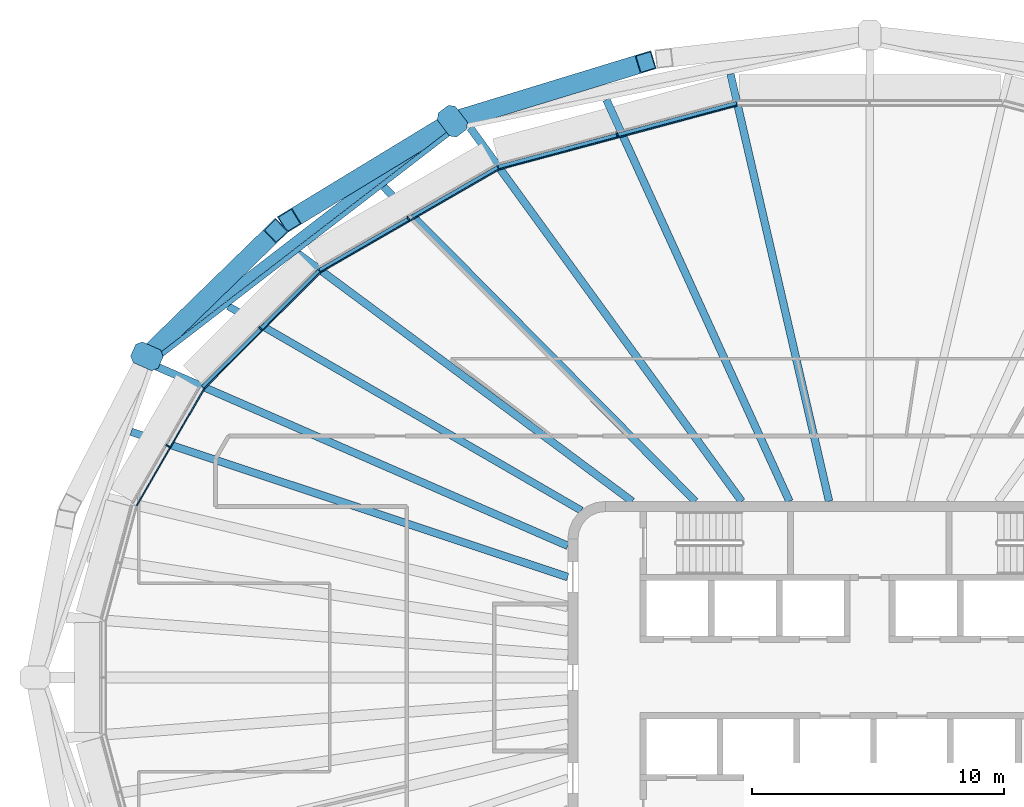
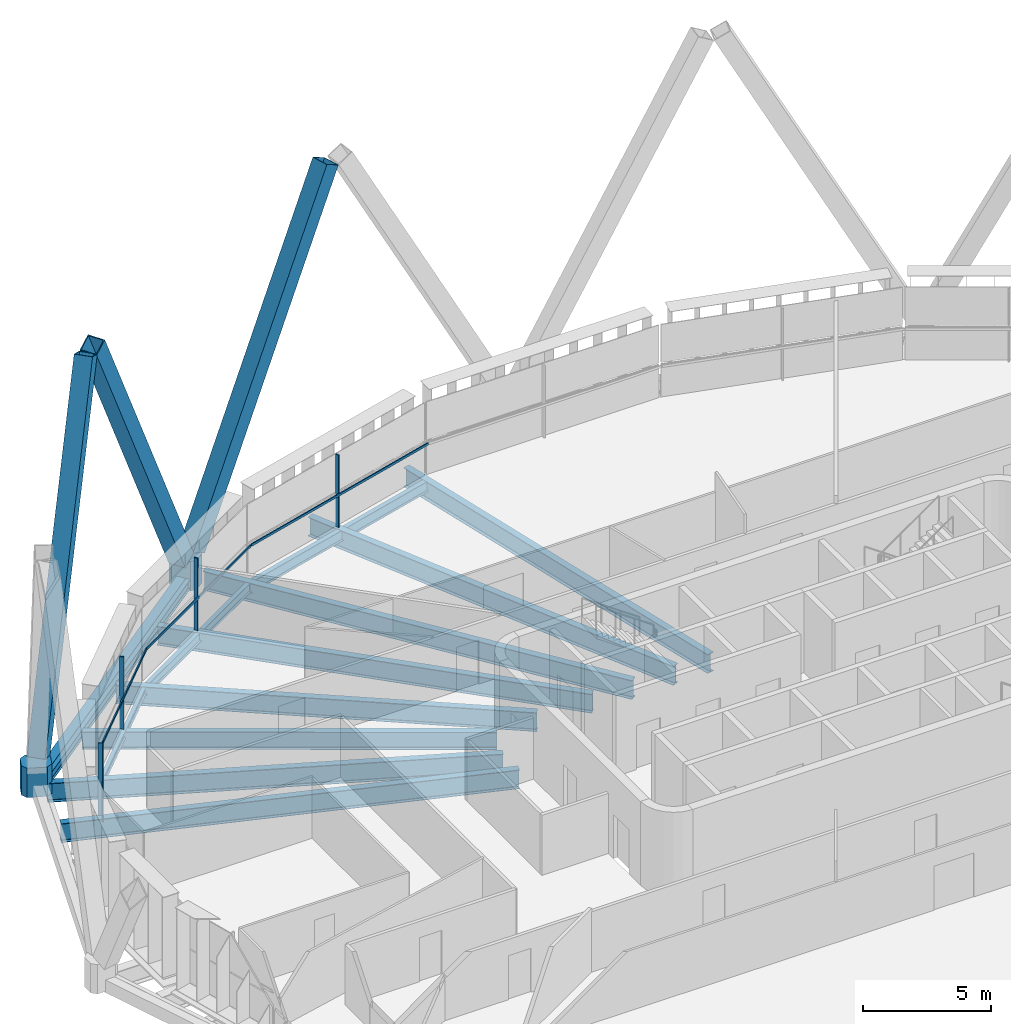
# One storey, part 7 of 23: 13 beams, 13 members, 4 elements without a shape of their own.
"""IFC4 building model written with IfcOpenShell, lengths in metres."""

from ifc_helpers import new_model, si_unit, direction, frame, origin, origin_2d, place, context, subcontext, project, spatial, polyline, rectangle, hollow_rectangle, i_section, outline, extrude, material, layer, layer_set, material_profile, profile_set, type_object, element, aggregate, save


model = new_model("IFC4")

# Units and contexts
model_context = context("Model", 3, precision=1e-05, world=origin(), true_north=direction((0.0, 1.0)))
body_context = subcontext(model_context, "Body", "Model", "MODEL_VIEW")
ifc_project = project(units=[si_unit("LENGTHUNIT", "METRE"), si_unit("AREAUNIT", "SQUARE_METRE"), si_unit("VOLUMEUNIT", "CUBIC_METRE"), si_unit("PLANEANGLEUNIT", "RADIAN"), si_unit("MASSUNIT", "GRAM", prefix="KILO")], contexts=[model_context])

# Site, building, storey
site_placement = place(None, origin())
site = spatial("IfcSite", under=ifc_project, at=site_placement, CompositionType="ELEMENT")
building_placement = place(site_placement, origin())
building = spatial("IfcBuilding", under=site, at=building_placement, Name="Sahrelin Media Tower", CompositionType="ELEMENT")
storey_placement = place(building_placement, frame((0.0, 0.0, 217.60009765625)))
storey = spatial("IfcBuildingStorey", under=building, at=storey_placement, Name="L46", CompositionType="ELEMENT", Elevation=217.60009765625)

# Members
ifc_material_1 = material(Name="Steel S460", Category="steel")
ifc_material_profile_1 = material_profile(ifc_material_1, hollow_rectangle(XDim=0.75, YDim=0.75, WallThickness=0.0400390625, at=origin_2d()), Name="Diagrid diagonal DG6")
ifc_profile_set_1 = profile_set([ifc_material_profile_1], Name="Steel S460")
member_type_1 = type_object("IfcMemberType", Name="Diagrid diagonal DG6", PredefinedType="BRACE", material=ifc_profile_set_1)
member_1_placement = place(storey_placement, frame((-16.234375, 22.218994140625, 0.699951171875), z_axis=(0.444550458227, 0.135899842006, 0.885384731647), x_axis=(-0.292346380443, 0.956312498006, 0.0)))
element("IfcMember", 1, at=member_1_placement, inside=storey, type_object=member_type_1, Name="Diagrid diagonal D10-07", PredefinedType="BRACE", context=body_context, shape_type="SweptSolid", body=[
    extrude(hollow_rectangle(XDim=0.75, YDim=0.75, WallThickness=0.0400390625, at=origin_2d()), origin(), (0.0, 0.0, 1.0), 16.48974609375),
])
member_2_placement = place(storey_placement, frame((-16.882568359375, 21.930908203125, 0.699951171875), z_axis=(-0.379598064611, -0.231069461193, 0.895830460214), x_axis=(0.51996298769, -0.854188791446, 0.0)))
element("IfcMember", 2, at=member_2_placement, inside=storey, type_object=member_type_1, Name="Diagrid diagonal D10-08", PredefinedType="BRACE", context=body_context, shape_type="SweptSolid", body=[
    extrude(hollow_rectangle(XDim=0.75, YDim=0.75, WallThickness=0.0400390625, at=origin_2d()), origin(), (0.0, 0.0, 1.0), 16.297607421875),
])
member_3_placement = place(storey_placement, frame((-28.492919921875, 12.994384765625, 0.699951171875), z_axis=(0.303560858535, 0.295441665911, 0.905850444173), x_axis=(-0.697458219754, 0.716625447286, 0.0)))
element("IfcMember", 3, at=member_3_placement, inside=storey, type_object=member_type_1, Name="Diagrid diagonal D10-09", PredefinedType="BRACE", context=body_context, shape_type="SweptSolid", body=[
    extrude(hollow_rectangle(XDim=0.75, YDim=0.75, WallThickness=0.0400390625, at=origin_2d()), origin(), (0.0, 0.0, 1.0), 16.1171875),
])
ifc_material_profile_2 = material_profile(ifc_material_1, outline(polyline([(0.39990234375, -0.449951171875), (0.60009765625, -0.25), (0.60009765625, 0.25), (0.39990234375, 0.449951171875), (-0.39990234375, 0.449951171875), (-0.60009765625, 0.25), (-0.60009765625, -0.25), (-0.39990234375, -0.449951171875), (0.39990234375, -0.449951171875)])), Name="Diagrid node block 1200")
ifc_profile_set_2 = profile_set([ifc_material_profile_2], Name="Steel S460")
member_type_2 = type_object("IfcMemberType", Name="Diagrid node block 1200", PredefinedType="USERDEFINED", material=ifc_profile_set_2)
for number, where, z_axis, x_axis, name in (
    (4, (-16.5859375, 22.111572265625, -0.7001953125), (0.0, 0.0, 1.0), (-0.600053089558, 0.799960180079, 0.0), "Diagrid node N10-04"),
    (5, (-28.7275390625, 12.76611328125, -0.7001953125), (0.0, 0.0, 1.0), (-0.91383202582, 0.406092389223, 0.0), "Diagrid node N10-05"),
):
    element("IfcMember", number, at=place(storey_placement, frame(where, z_axis=z_axis, x_axis=x_axis)), inside=storey, type_object=member_type_2, Name=name, ObjectType="NODE", PredefinedType="USERDEFINED", context=body_context, shape_type="SweptSolid", body=[
        extrude(outline(polyline([(0.39990234375, -0.449951171875), (0.60009765625, -0.25), (0.60009765625, 0.25), (0.39990234375, 0.449951171875), (-0.39990234375, 0.449951171875), (-0.60009765625, 0.25), (-0.60009765625, -0.25), (-0.39990234375, -0.449951171875), (0.39990234375, -0.449951171875)])), origin(), (0.0, 0.0, 1.0), 1.400146484375),
    ])

# Beams
ifc_material_profile_3 = material_profile(ifc_material_1, hollow_rectangle(XDim=0.39990234375, YDim=0.60009765625, WallThickness=0.030029296875, at=origin_2d()), Name="Diagrid ring beam RB1")
ifc_profile_set_3 = profile_set([ifc_material_profile_3], Name="Steel S460")
beam_type_1 = type_object("IfcBeamType", Name="Diagrid ring beam RB1", PredefinedType="BEAM", material=ifc_profile_set_3)
beam_1_placement = place(storey_placement, frame((-16.5859375, 22.111572265625, -0.4501953125), z_axis=(-0.792442102004, -0.609947141129, 0.0), x_axis=(0.609947141129, -0.792442102004, 0.0)))
element("IfcBeam", 6, at=beam_1_placement, inside=storey, type_object=beam_type_1, Name="Diagrid ring beam RB10-04", PredefinedType="BEAM", context=body_context, shape_type="SweptSolid", body=[
    extrude(hollow_rectangle(XDim=0.39990234375, YDim=0.60009765625, WallThickness=0.030029296875, at=origin_2d()), origin(), (0.0, 0.0, 1.0), 15.32177734375),
])
ifc_material_2 = material(Name="Steel S355", Category="steel")
ifc_material_profile_4 = material_profile(ifc_material_2, i_section(OverallWidth=0.17138671875, OverallDepth=0.35498046875, WebThickness=0.00732421875, FlangeThickness=0.011474609375, FilletRadius=0.01025390625, at=origin_2d()), Name="UB 356x171x51")
ifc_profile_set_4 = profile_set([ifc_material_profile_4], Name="Steel S355")
beam_type_2 = type_object("IfcBeamType", Name="Edge beam EB3", PredefinedType="BEAM", material=ifc_profile_set_4)
beam_2_placement = place(storey_placement, frame((-26.496337890625, 11.52880859375, -0.32763671875), z_axis=(0.707088109482, 0.707125452398, 0.0), x_axis=(-0.707125452398, 0.707088109482, 0.0)))
element("IfcBeam", 7, at=beam_2_placement, inside=storey, type_object=beam_type_2, Name="Edge beam L46-16", PredefinedType="BEAM", context=body_context, shape_type="SweptSolid", body=[
    extrude(i_section(OverallWidth=0.17138671875, OverallDepth=0.35498046875, WebThickness=0.00732421875, FlangeThickness=0.011474609375, FilletRadius=0.01025390625, at=origin_2d()), origin(), (0.0, 0.0, 1.0), 6.537841796875),
])
ifc_material_profile_5 = material_profile(ifc_material_2, i_section(OverallWidth=0.1904296875, OverallDepth=0.45703125, WebThickness=0.009033203125, FlangeThickness=0.014404296875, FilletRadius=0.01025390625, at=origin_2d()), Name="UB 457x191x74")
ifc_profile_set_5 = profile_set([ifc_material_profile_5], Name="Steel S355")
beam_type_3 = type_object("IfcBeamType", Name="Edge beam EB5", PredefinedType="BEAM", material=ifc_profile_set_5)
beam_3_placement = place(storey_placement, frame((-21.8505859375, 16.169189453125, -0.378662109375), z_axis=(0.866015284814, 0.500017526161, 0.0), x_axis=(-0.500017526161, 0.866015284814, 0.0)))
element("IfcBeam", 8, at=beam_3_placement, inside=storey, type_object=beam_type_3, Name="Edge beam L46-17", PredefinedType="BEAM", context=body_context, shape_type="SweptSolid", body=[
    extrude(i_section(OverallWidth=0.1904296875, OverallDepth=0.45703125, WebThickness=0.009033203125, FlangeThickness=0.014404296875, FilletRadius=0.01025390625, at=origin_2d()), origin(), (0.0, 0.0, 1.0), 8.164794921875),
])
ifc_material_profile_6 = material_profile(ifc_material_2, i_section(OverallWidth=0.208740234375, OverallDepth=0.5283203125, WebThickness=0.009521484375, FlangeThickness=0.01318359375, FilletRadius=0.0126953125, at=origin_2d()), Name="UB 533x210x82")
ifc_profile_set_6 = profile_set([ifc_material_profile_6], Name="Steel S355")
beam_type_4 = type_object("IfcBeamType", Name="Edge beam EB6", PredefinedType="BEAM", material=ifc_profile_set_6)
beam_4_placement = place(storey_placement, frame((-14.753173828125, 20.2626953125, -0.414306640625), z_axis=(0.965925693265, 0.258819541556, 0.0), x_axis=(-0.258819541556, 0.965925693265, 0.0)))
element("IfcBeam", 9, at=beam_4_placement, inside=storey, type_object=beam_type_4, Name="Edge beam L46-18", PredefinedType="BEAM", context=body_context, shape_type="SweptSolid", body=[
    extrude(i_section(OverallWidth=0.208740234375, OverallDepth=0.5283203125, WebThickness=0.009521484375, FlangeThickness=0.01318359375, FilletRadius=0.0126953125, at=origin_2d()), origin(), (0.0, 0.0, 1.0), 9.796875),
])

# Curtain wall, member
ifc_material_3 = material(Name="Champagne anodised aluminium 6063-T6", Category="aluminium")
ifc_layer = layer(ifc_material_3, 0.14990234375)
ifc_layer_set = layer_set([ifc_layer], Name="Tower ribbon curtain wall")
curtain_wall_type = type_object("IfcCurtainWallType", Name="Tower ribbon curtain wall", PredefinedType="NOTDEFINED", material=ifc_layer_set)
curtain_wall_1_placement = place(storey_placement, frame((-10.060302734375, 21.67529296875, 0.0), z_axis=(0.0, 0.0, 1.0), x_axis=(1.0, 0.0, 0.0)))
curtain_wall_1 = element("IfcCurtainWall", 10, at=curtain_wall_1_placement, inside=storey, type_object=curtain_wall_type, Name="L46:CW:L46-07", PredefinedType="NOTDEFINED")
ifc_material_profile_7 = material_profile(ifc_material_3, rectangle(XDim=0.06005859375, YDim=0.175048828125, at=origin_2d()), Name="Mullion 60x175")
ifc_profile_set_7 = profile_set([ifc_material_profile_7], Name="Champagne anodised aluminium 6063-T6")
member_type_3 = type_object("IfcMemberType", Name="Mullion 60x175 CW1B", PredefinedType="MULLION", material=ifc_profile_set_7)
member_4_placement = place(storey_placement, frame((-10.03271484375, 21.571533203125, 0.0), z_axis=(0.0, 0.0, 1.0), x_axis=(-0.965924922834, -0.258822416818, 0.0)))
member_4 = element("IfcMember", 11, at=member_4_placement, type_object=member_type_3, Name="L46:CWM:L46-07", PredefinedType="MULLION", context=body_context, shape_type="SweptSolid", body=[
    extrude(rectangle(XDim=0.06005859375, YDim=0.175048828125, at=origin_2d()), origin(), (0.0, 0.0, 1.0), 3.448486328125),
])

curtain_wall_2_placement = place(storey_placement, frame((-18.39013671875, 18.34033203125, 0.0), z_axis=(0.0, 0.0, 1.0), x_axis=(1.0, 0.0, 0.0)))
curtain_wall_2 = element("IfcCurtainWall", 12, at=curtain_wall_2_placement, inside=storey, type_object=curtain_wall_type, Name="L46:CW:L46-08", PredefinedType="NOTDEFINED")
member_5_placement = place(storey_placement, frame((-18.33642578125, 18.247314453125, 0.0), z_axis=(0.0, 0.0, 1.0), x_axis=(-0.866026276448, -0.4999984885, 0.0)))
member_5 = element("IfcMember", 13, at=member_5_placement, type_object=member_type_3, Name="L46:CWM:L46-08", PredefinedType="MULLION", context=body_context, shape_type="SweptSolid", body=[
    extrude(rectangle(XDim=0.06005859375, YDim=0.175048828125, at=origin_2d()), origin(), (0.0, 0.0, 1.0), 3.448486328125),
])

curtain_wall_3_placement = place(storey_placement, frame((-24.291015625, 13.9462890625, 0.0), z_axis=(0.0, 0.0, 1.0), x_axis=(1.0, 0.0, 0.0)))
curtain_wall_3 = element("IfcCurtainWall", 14, at=curtain_wall_3_placement, inside=storey, type_object=curtain_wall_type, Name="L46:CW:L46-09", PredefinedType="NOTDEFINED")
member_6_placement = place(storey_placement, frame((-24.215087890625, 13.870361328125, 0.0), z_axis=(0.0, 0.0, 1.0), x_axis=(-0.707106781187, -0.707106781187, 0.0)))
member_6 = element("IfcMember", 15, at=member_6_placement, type_object=member_type_3, Name="L46:CWM:L46-09", PredefinedType="MULLION", context=body_context, shape_type="SweptSolid", body=[
    extrude(rectangle(XDim=0.06005859375, YDim=0.175048828125, at=origin_2d()), origin(), (0.0, 0.0, 1.0), 3.448486328125),
])

curtain_wall_4_placement = place(storey_placement, frame((-27.986083984375, 9.256103515625, 0.0), z_axis=(0.0, 0.0, 1.0), x_axis=(1.0, 0.0, 0.0)))
curtain_wall_4 = element("IfcCurtainWall", 16, at=curtain_wall_4_placement, inside=storey, type_object=curtain_wall_type, Name="L46:CW:L46-10", PredefinedType="NOTDEFINED")
member_7_placement = place(storey_placement, frame((-27.89306640625, 9.2021484375, 0.0), z_axis=(0.0, 0.0, 1.0), x_axis=(-0.499995465495, -0.866028021766, 0.0)))
member_7 = element("IfcMember", 17, at=member_7_placement, type_object=member_type_3, Name="L46:CWM:L46-10", PredefinedType="MULLION", context=body_context, shape_type="SweptSolid", body=[
    extrude(rectangle(XDim=0.06005859375, YDim=0.175048828125, at=origin_2d()), origin(), (0.0, 0.0, 1.0), 3.448486328125),
])

# Beams
ifc_material_profile_8 = material_profile(ifc_material_2, i_section(OverallWidth=0.30322265625, OverallDepth=0.903076171875, WebThickness=0.01513671875, FlangeThickness=0.020263671875, FilletRadius=0.01904296875, at=origin_2d()), Name="UB 914x305x201")
ifc_profile_set_8 = profile_set([ifc_material_profile_8], Name="Steel S355")
beam_type_5 = type_object("IfcBeamType", Name="Radial primary beam PB11", PredefinedType="BEAM", material=ifc_profile_set_8)
beam_5_placement = place(storey_placement, frame((-1.614990234375, 7.0, -0.6015625), z_axis=(-0.224837005551, 0.974396387994, 0.0), x_axis=(-0.974396387994, -0.224837005551, 0.0)))
element("IfcBeam", 18, at=beam_5_placement, inside=storey, type_object=beam_type_5, Name="Radial beam L46-07", PredefinedType="BEAM", context=body_context, shape_type="SweptSolid", body=[
    extrude(i_section(OverallWidth=0.30322265625, OverallDepth=0.903076171875, WebThickness=0.01513671875, FlangeThickness=0.020263671875, FilletRadius=0.01904296875, at=origin_2d()), origin(), (0.0, 0.0, 1.0), 17.433349609375),
])
beam_6_placement = place(storey_placement, frame((-5.08740234375, 7.0, -0.6015625), z_axis=(-0.587903651561, 0.808930959033, 0.0), x_axis=(-0.808930959033, -0.587903651561, 0.0)))
element("IfcBeam", 19, at=beam_6_placement, inside=storey, type_object=beam_type_5, Name="Radial beam L46-08", PredefinedType="BEAM", context=body_context, shape_type="SweptSolid", body=[
    extrude(i_section(OverallWidth=0.30322265625, OverallDepth=0.903076171875, WebThickness=0.01513671875, FlangeThickness=0.020263671875, FilletRadius=0.01904296875, at=origin_2d()), origin(), (0.0, 0.0, 1.0), 18.361328125),
])
beam_7_placement = place(storey_placement, frame((-9.43896484375, 7.0, -0.6015625), z_axis=(-0.803225834656, 0.595674624725, 0.0), x_axis=(-0.595674624725, -0.803225834656, 0.0)))
element("IfcBeam", 20, at=beam_7_placement, inside=storey, type_object=beam_type_5, Name="Radial beam L46-09", PredefinedType="BEAM", context=body_context, shape_type="SweptSolid", body=[
    extrude(i_section(OverallWidth=0.30322265625, OverallDepth=0.903076171875, WebThickness=0.01513671875, FlangeThickness=0.020263671875, FilletRadius=0.01904296875, at=origin_2d()), origin(), (0.0, 0.0, 1.0), 16.5693359375),
])
beam_8_placement = place(storey_placement, frame((-12.0, 5.232666015625, -0.6015625), z_axis=(-0.916640711355, 0.39971215429, 0.0), x_axis=(-0.39971215429, -0.916640711355, 0.0)))
element("IfcBeam", 21, at=beam_8_placement, inside=storey, type_object=beam_type_5, Name="Radial beam L46-10", PredefinedType="BEAM", context=body_context, shape_type="SweptSolid", body=[
    extrude(i_section(OverallWidth=0.30322265625, OverallDepth=0.903076171875, WebThickness=0.01513671875, FlangeThickness=0.020263671875, FilletRadius=0.01904296875, at=origin_2d()), origin(), (0.0, 0.0, 1.0), 17.930908203125),
])
ifc_material_profile_9 = material_profile(ifc_material_2, i_section(OverallWidth=0.291748046875, OverallDepth=0.8349609375, WebThickness=0.013916015625, FlangeThickness=0.018798828125, FilletRadius=0.017822265625, at=origin_2d()), Name="UB 838x292x176")
ifc_profile_set_9 = profile_set([ifc_material_profile_9], Name="Steel S355")
beam_type_6 = type_object("IfcBeamType", Name="Radial secondary beam SB10", PredefinedType="BEAM", material=ifc_profile_set_9)
beam_9_placement = place(storey_placement, frame((-11.464111328125, 6.634765625, -0.567626953125), z_axis=(-0.865492266569, 0.500922285899, 0.0), x_axis=(-0.500922285899, -0.865492266569, 0.0)))
element("IfcBeam", 22, at=beam_9_placement, inside=storey, type_object=beam_type_6, Name="Secondary beam L46-09", PredefinedType="BEAM", context=body_context, shape_type="SweptSolid", body=[
    extrude(i_section(OverallWidth=0.291748046875, OverallDepth=0.8349609375, WebThickness=0.013916015625, FlangeThickness=0.018798828125, FilletRadius=0.017822265625, at=origin_2d()), origin(), (0.0, 0.0, 1.0), 16.21142578125),
])
ifc_material_profile_10 = material_profile(ifc_material_2, i_section(OverallWidth=0.30322265625, OverallDepth=0.903076171875, WebThickness=0.01513671875, FlangeThickness=0.020263671875, FilletRadius=0.01904296875, at=origin_2d()), Name="UB 914x305x201")
ifc_profile_set_10 = profile_set([ifc_material_profile_10], Name="Steel S355")
beam_type_7 = type_object("IfcBeamType", Name="Radial secondary beam SB11", PredefinedType="BEAM", material=ifc_profile_set_10)
beam_10_placement = place(storey_placement, frame((-3.190185546875, 7.0, -0.6015625), z_axis=(-0.414698885824, 0.909958699116, 0.0), x_axis=(-0.909958699116, -0.414698885824, 0.0)))
element("IfcBeam", 23, at=beam_10_placement, inside=storey, type_object=beam_type_7, Name="Secondary beam L46-07", PredefinedType="BEAM", context=body_context, shape_type="SweptSolid", body=[
    extrude(i_section(OverallWidth=0.30322265625, OverallDepth=0.903076171875, WebThickness=0.01513671875, FlangeThickness=0.020263671875, FilletRadius=0.01904296875, at=origin_2d()), origin(), (0.0, 0.0, 1.0), 17.549560546875),
])
beam_11_placement = place(storey_placement, frame((-6.932861328125, 7.0, -0.6015625), z_axis=(-0.703686903697, 0.710510198073, 0.0), x_axis=(-0.710510198073, -0.703686903697, 0.0)))
element("IfcBeam", 24, at=beam_11_placement, inside=storey, type_object=beam_type_7, Name="Secondary beam L46-08", PredefinedType="BEAM", context=body_context, shape_type="SweptSolid", body=[
    extrude(i_section(OverallWidth=0.30322265625, OverallDepth=0.903076171875, WebThickness=0.01513671875, FlangeThickness=0.020263671875, FilletRadius=0.01904296875, at=origin_2d()), origin(), (0.0, 0.0, 1.0), 17.60400390625),
])
beam_12_placement = place(storey_placement, frame((-12.0, 3.9912109375, -0.6015625), z_axis=(-0.948893999839, 0.315594957293, 0.0), x_axis=(-0.315594957293, -0.948893999839, 0.0)))
element("IfcBeam", 25, at=beam_12_placement, inside=storey, type_object=beam_type_7, Name="Secondary beam L46-10", PredefinedType="BEAM", context=body_context, shape_type="SweptSolid", body=[
    extrude(i_section(OverallWidth=0.30322265625, OverallDepth=0.903076171875, WebThickness=0.01513671875, FlangeThickness=0.020263671875, FilletRadius=0.01904296875, at=origin_2d()), origin(), (0.0, 0.0, 1.0), 18.2890625),
])
ifc_material_profile_11 = material_profile(ifc_material_2, i_section(OverallWidth=0.1904296875, OverallDepth=0.45703125, WebThickness=0.009033203125, FlangeThickness=0.014404296875, FilletRadius=0.01025390625, at=origin_2d()), Name="UB 457x191x74")
ifc_profile_set_11 = profile_set([ifc_material_profile_11], Name="Steel S355")
beam_type_8 = type_object("IfcBeamType", Name="Tie chord TC5", PredefinedType="BEAM", material=ifc_profile_set_11)
beam_13_placement = place(storey_placement, frame((-28.473388671875, 12.582763671875, -0.378662109375), z_axis=(0.792446783921, 0.609941058344, 0.0), x_axis=(-0.609941058344, 0.792446783921, 0.0)))
element("IfcBeam", 26, at=beam_13_placement, inside=storey, type_object=beam_type_8, Name="Tie chord L46-08", PredefinedType="BEAM", context=body_context, shape_type="SweptSolid", body=[
    extrude(i_section(OverallWidth=0.1904296875, OverallDepth=0.45703125, WebThickness=0.009033203125, FlangeThickness=0.014404296875, FilletRadius=0.01025390625, at=origin_2d()), origin(), (0.0, 0.0, 1.0), 15.1630859375),
])

# Member
ifc_material_profile_12 = material_profile(ifc_material_3, rectangle(XDim=0.050048828125, YDim=0.110107421875, at=origin_2d()), Name="Transom 50x110")
ifc_profile_set_12 = profile_set([ifc_material_profile_12], Name="Champagne anodised aluminium 6063-T6")
member_type_4 = type_object("IfcMemberType", Name="Transom 50x110 CW1B", PredefinedType="USERDEFINED", material=ifc_profile_set_12)
member_8_placement = place(storey_placement, frame((-5.287109375, 22.726806640625, 1.599853515625), z_axis=(-0.965924282198, -0.258824807661, 0.0), x_axis=(0.258824807661, -0.965924282198, 0.0)))
member_8 = element("IfcMember", 27, at=member_8_placement, type_object=member_type_4, Name="L46:CWT:L46-07", ObjectType="TRANSOM", PredefinedType="USERDEFINED", context=body_context, shape_type="SweptSolid", body=[
    extrude(rectangle(XDim=0.050048828125, YDim=0.110107421875, at=origin_2d()), origin(), (0.0, 0.0, 1.0), 9.765625),
])

aggregate(curtain_wall_1, [member_4, member_8])

member_9_placement = place(storey_placement, frame((-14.75830078125, 20.18310546875, 1.599853515625), z_axis=(-0.866040125199, -0.499974500895, 0.0), x_axis=(0.499974500895, -0.866040125199, 0.0)))
member_9 = element("IfcMember", 28, at=member_9_placement, type_object=member_type_4, Name="L46:CWT:L46-08", ObjectType="TRANSOM", PredefinedType="USERDEFINED", context=body_context, shape_type="SweptSolid", body=[
    extrude(rectangle(XDim=0.050048828125, YDim=0.110107421875, at=origin_2d()), origin(), (0.0, 0.0, 1.0), 8.13330078125),
])

aggregate(curtain_wall_2, [member_5, member_9])

member_10_placement = place(storey_placement, frame((-21.835205078125, 16.09130859375, 1.599853515625), z_axis=(-0.707088019315, -0.70712554256, 0.0), x_axis=(0.70712554256, -0.707088019315, 0.0)))
member_10 = element("IfcMember", 29, at=member_10_placement, type_object=member_type_4, Name="L46:CWT:L46-09", ObjectType="TRANSOM", PredefinedType="USERDEFINED", context=body_context, shape_type="SweptSolid", body=[
    extrude(rectangle(XDim=0.050048828125, YDim=0.110107421875, at=origin_2d()), origin(), (0.0, 0.0, 1.0), 6.50634765625),
])

aggregate(curtain_wall_3, [member_6, member_10])

member_11_placement = place(storey_placement, frame((-26.461181640625, 11.45751953125, 1.599853515625), z_axis=(-0.499975827765, -0.866039359181, 0.0), x_axis=(0.866039359181, -0.499975827765, 0.0)))
member_11 = element("IfcMember", 30, at=member_11_placement, type_object=member_type_4, Name="L46:CWT:L46-10", ObjectType="TRANSOM", PredefinedType="USERDEFINED", context=body_context, shape_type="SweptSolid", body=[
    extrude(rectangle(XDim=0.050048828125, YDim=0.110107421875, at=origin_2d()), origin(), (0.0, 0.0, 1.0), 5.338134765625),
])

aggregate(curtain_wall_4, [member_7, member_11])

save(model, "model.ifc")
